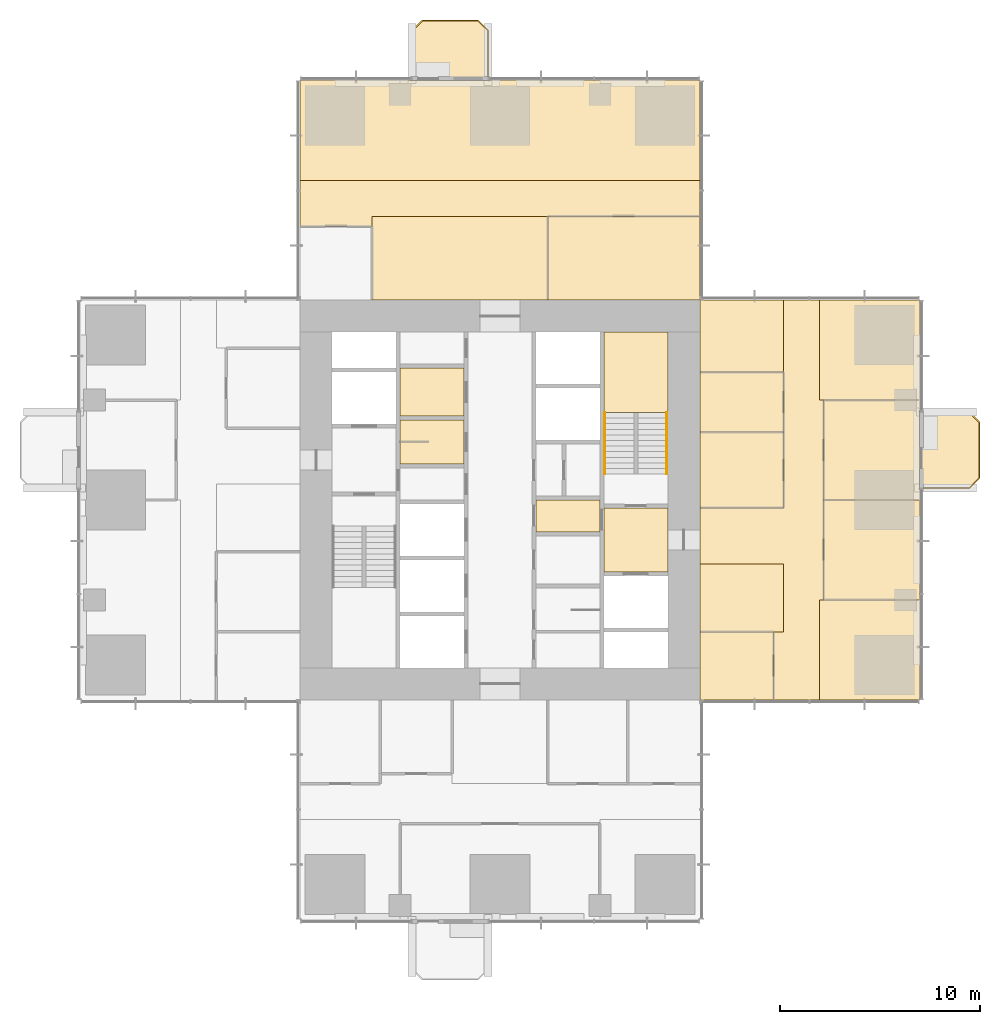
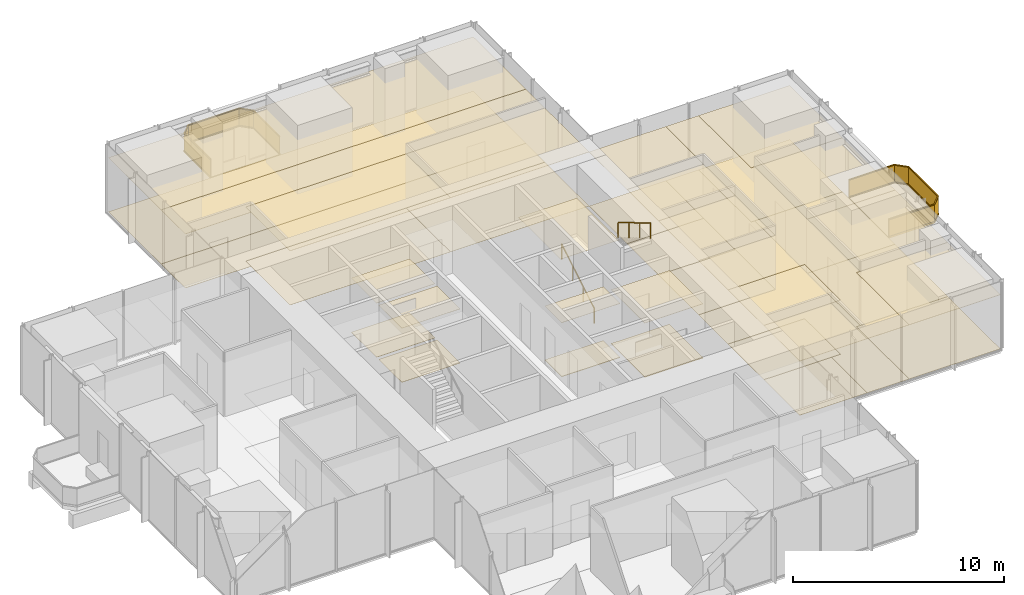
# One storey, part 12 of 13: 39 coverings, 4 railings.
"""IFC4 building model written with IfcOpenShell, lengths in metres."""

from ifc_helpers import new_model, si_unit, direction, frame, origin, origin_2d, place, context, subcontext, project, spatial, polyline, rectangle, circle, outline, extrude, material, layer, layer_set, type_object, element, save


model = new_model("IFC4")

# Units and contexts
model_context = context("Model", 3, precision=1e-05, world=origin(), true_north=direction((0.0, 1.0)))
body_context = subcontext(model_context, "Body", "Model", "MODEL_VIEW")
ifc_project = project(units=[si_unit("LENGTHUNIT", "METRE"), si_unit("AREAUNIT", "SQUARE_METRE"), si_unit("VOLUMEUNIT", "CUBIC_METRE"), si_unit("PLANEANGLEUNIT", "RADIAN"), si_unit("MASSUNIT", "GRAM", prefix="KILO")], contexts=[model_context])

# Site, building, storey
site_placement = place(None, origin())
site = spatial("IfcSite", under=ifc_project, at=site_placement, CompositionType="ELEMENT")
building_placement = place(site_placement, origin())
building = spatial("IfcBuilding", under=site, at=building_placement, Name="Svetlomir Tower", CompositionType="ELEMENT")
storey_placement = place(building_placement, frame((0.0, 0.0, 148.5)))
storey = spatial("IfcBuildingStorey", under=building, at=storey_placement, Name="L35", CompositionType="ELEMENT", Elevation=148.5)

# Railings
ifc_material_1 = material(Name="Bronze anodised aluminium and laminated glass", Category="aluminium")
railing_type_1 = type_object("IfcRailingType", Name="BALCONY GUARD GR1 1100", PredefinedType="GUARDRAIL", material=ifc_material_1)
railing_1_placement = place(storey_placement, frame((42.0, 21.60009765625, 0.0)))
element("IfcRailing", 1, at=railing_1_placement, inside=storey, type_object=railing_type_1, Name="Balcony guard E L35", PredefinedType="GUARDRAIL", context=body_context, shape_type="SweptSolid", body=[
    extrude(rectangle(XDim=0.06005859375, YDim=0.10009765625, at=origin_2d()), frame((0.0, 0.0, 0.050048828125), z_axis=(1.0, 0.0, 0.0), x_axis=(0.0, 1.0, 0.0)), (0.0, 0.0, 1.0), 2.5),
    extrude(rectangle(XDim=0.021484375, YDim=0.960205078125, at=origin_2d()), frame((0.0, 0.0, 0.580078125), z_axis=(1.0, 0.0, 0.0), x_axis=(0.0, 1.0, 0.0)), (0.0, 0.0, 1.0), 2.5),
    extrude(rectangle(XDim=0.06005859375, YDim=0.0400390625, at=origin_2d()), frame((0.0, 0.0, 1.080078125), z_axis=(1.0, 0.0, 0.0), x_axis=(0.0, 1.0, 0.0)), (0.0, 0.0, 1.0), 2.5),
    extrude(rectangle(XDim=0.06005859375, YDim=0.10009765625, at=origin_2d()), frame((2.5, 0.0, 0.050048828125), z_axis=(0.707106781187, 0.707106781187, 0.0), x_axis=(-0.707106781187, 0.707106781187, 0.0)), (0.0, 0.0, 1.0), 0.70703125),
    extrude(rectangle(XDim=0.021484375, YDim=0.960205078125, at=origin_2d()), frame((2.5, 0.0, 0.580078125), z_axis=(0.707106781187, 0.707106781187, 0.0), x_axis=(-0.707106781187, 0.707106781187, 0.0)), (0.0, 0.0, 1.0), 0.70703125),
    extrude(rectangle(XDim=0.06005859375, YDim=0.0400390625, at=origin_2d()), frame((2.5, 0.0, 1.080078125), z_axis=(0.707106781187, 0.707106781187, 0.0), x_axis=(-0.707106781187, 0.707106781187, 0.0)), (0.0, 0.0, 1.0), 0.70703125),
    extrude(rectangle(XDim=0.06005859375, YDim=0.10009765625, at=origin_2d()), frame((3.0, 0.5, 0.050048828125), z_axis=(0.0, 1.0, 0.0), x_axis=(-1.0, 0.0, 0.0)), (0.0, 0.0, 1.0), 2.7998046875),
    extrude(rectangle(XDim=0.021484375, YDim=0.960205078125, at=origin_2d()), frame((3.0, 0.5, 0.580078125), z_axis=(0.0, 1.0, 0.0), x_axis=(-1.0, 0.0, 0.0)), (0.0, 0.0, 1.0), 2.7998046875),
    extrude(rectangle(XDim=0.06005859375, YDim=0.0400390625, at=origin_2d()), frame((3.0, 0.5, 1.080078125), z_axis=(0.0, 1.0, 0.0), x_axis=(-1.0, 0.0, 0.0)), (0.0, 0.0, 1.0), 2.7998046875),
    extrude(rectangle(XDim=0.06005859375, YDim=0.10009765625, at=origin_2d()), frame((3.0, 3.2998046875, 0.050048828125), z_axis=(-0.707106781187, 0.707106781187, 0.0), x_axis=(-0.707106781187, -0.707106781187, 0.0)), (0.0, 0.0, 1.0), 0.70703125),
    extrude(rectangle(XDim=0.021484375, YDim=0.960205078125, at=origin_2d()), frame((3.0, 3.2998046875, 0.580078125), z_axis=(-0.707106781187, 0.707106781187, 0.0), x_axis=(-0.707106781187, -0.707106781187, 0.0)), (0.0, 0.0, 1.0), 0.70703125),
    extrude(rectangle(XDim=0.06005859375, YDim=0.0400390625, at=origin_2d()), frame((3.0, 3.2998046875, 1.080078125), z_axis=(-0.707106781187, 0.707106781187, 0.0), x_axis=(-0.707106781187, -0.707106781187, 0.0)), (0.0, 0.0, 1.0), 0.70703125),
    extrude(rectangle(XDim=0.06005859375, YDim=0.10009765625, at=origin_2d()), frame((2.5, 3.7998046875, 0.050048828125), z_axis=(-1.0, 0.0, 0.0), x_axis=(0.0, -1.0, 0.0)), (0.0, 0.0, 1.0), 2.5),
    extrude(rectangle(XDim=0.021484375, YDim=0.960205078125, at=origin_2d()), frame((2.5, 3.7998046875, 0.580078125), z_axis=(-1.0, 0.0, 0.0), x_axis=(0.0, -1.0, 0.0)), (0.0, 0.0, 1.0), 2.5),
    extrude(rectangle(XDim=0.06005859375, YDim=0.0400390625, at=origin_2d()), frame((2.5, 3.7998046875, 1.080078125), z_axis=(-1.0, 0.0, 0.0), x_axis=(0.0, -1.0, 0.0)), (0.0, 0.0, 1.0), 2.5),
])
railing_2_placement = place(storey_placement, frame((20.39990234375, 42.0, 0.0)))
element("IfcRailing", 2, at=railing_2_placement, inside=storey, type_object=railing_type_1, Name="Balcony guard N L35", PredefinedType="GUARDRAIL", context=body_context, shape_type="SweptSolid", body=[
    extrude(rectangle(XDim=0.06005859375, YDim=0.10009765625, at=origin_2d()), frame((0.0, 0.0, 0.050048828125), z_axis=(0.0, 1.0, 0.0), x_axis=(-1.0, 0.0, 0.0)), (0.0, 0.0, 1.0), 2.5),
    extrude(rectangle(XDim=0.021484375, YDim=0.960205078125, at=origin_2d()), frame((0.0, 0.0, 0.580078125), z_axis=(0.0, 1.0, 0.0), x_axis=(-1.0, 0.0, 0.0)), (0.0, 0.0, 1.0), 2.5),
    extrude(rectangle(XDim=0.06005859375, YDim=0.0400390625, at=origin_2d()), frame((0.0, 0.0, 1.080078125), z_axis=(0.0, 1.0, 0.0), x_axis=(-1.0, 0.0, 0.0)), (0.0, 0.0, 1.0), 2.5),
    extrude(rectangle(XDim=0.06005859375, YDim=0.10009765625, at=origin_2d()), frame((0.0, 2.5, 0.050048828125), z_axis=(-0.707106781187, 0.707106781187, 0.0), x_axis=(-0.707106781187, -0.707106781187, 0.0)), (0.0, 0.0, 1.0), 0.70703125),
    extrude(rectangle(XDim=0.021484375, YDim=0.960205078125, at=origin_2d()), frame((0.0, 2.5, 0.580078125), z_axis=(-0.707106781187, 0.707106781187, 0.0), x_axis=(-0.707106781187, -0.707106781187, 0.0)), (0.0, 0.0, 1.0), 0.70703125),
    extrude(rectangle(XDim=0.06005859375, YDim=0.0400390625, at=origin_2d()), frame((0.0, 2.5, 1.080078125), z_axis=(-0.707106781187, 0.707106781187, 0.0), x_axis=(-0.707106781187, -0.707106781187, 0.0)), (0.0, 0.0, 1.0), 0.70703125),
    extrude(rectangle(XDim=0.06005859375, YDim=0.10009765625, at=origin_2d()), frame((-0.5, 3.0, 0.050048828125), z_axis=(-1.0, 0.0, 0.0), x_axis=(0.0, -1.0, 0.0)), (0.0, 0.0, 1.0), 2.7998046875),
    extrude(rectangle(XDim=0.021484375, YDim=0.960205078125, at=origin_2d()), frame((-0.5, 3.0, 0.580078125), z_axis=(-1.0, 0.0, 0.0), x_axis=(0.0, -1.0, 0.0)), (0.0, 0.0, 1.0), 2.7998046875),
    extrude(rectangle(XDim=0.06005859375, YDim=0.0400390625, at=origin_2d()), frame((-0.5, 3.0, 1.080078125), z_axis=(-1.0, 0.0, 0.0), x_axis=(0.0, -1.0, 0.0)), (0.0, 0.0, 1.0), 2.7998046875),
    extrude(rectangle(XDim=0.06005859375, YDim=0.10009765625, at=origin_2d()), frame((-3.2998046875, 3.0, 0.050048828125), z_axis=(-0.707106781187, -0.707106781187, 0.0), x_axis=(0.707106781187, -0.707106781187, 0.0)), (0.0, 0.0, 1.0), 0.70703125),
    extrude(rectangle(XDim=0.021484375, YDim=0.960205078125, at=origin_2d()), frame((-3.2998046875, 3.0, 0.580078125), z_axis=(-0.707106781187, -0.707106781187, 0.0), x_axis=(0.707106781187, -0.707106781187, 0.0)), (0.0, 0.0, 1.0), 0.70703125),
    extrude(rectangle(XDim=0.06005859375, YDim=0.0400390625, at=origin_2d()), frame((-3.2998046875, 3.0, 1.080078125), z_axis=(-0.707106781187, -0.707106781187, 0.0), x_axis=(0.707106781187, -0.707106781187, 0.0)), (0.0, 0.0, 1.0), 0.70703125),
    extrude(rectangle(XDim=0.06005859375, YDim=0.10009765625, at=origin_2d()), frame((-3.7998046875, 2.5, 0.050048828125), z_axis=(0.0, -1.0, 0.0), x_axis=(1.0, 0.0, 0.0)), (0.0, 0.0, 1.0), 2.5),
    extrude(rectangle(XDim=0.021484375, YDim=0.960205078125, at=origin_2d()), frame((-3.7998046875, 2.5, 0.580078125), z_axis=(0.0, -1.0, 0.0), x_axis=(1.0, 0.0, 0.0)), (0.0, 0.0, 1.0), 2.5),
    extrude(rectangle(XDim=0.06005859375, YDim=0.0400390625, at=origin_2d()), frame((-3.7998046875, 2.5, 1.080078125), z_axis=(0.0, -1.0, 0.0), x_axis=(1.0, 0.0, 0.0)), (0.0, 0.0, 1.0), 2.5),
])

# Coverings
ifc_material_2 = material(Name="Granite paving slabs on pedestals", Category="masonry")
ifc_layer_1 = layer(ifc_material_2, 0.0400390625)
ifc_layer_set_1 = layer_set([ifc_layer_1], Name="Granite paving slabs on pedestals")
covering_type_1 = type_object("IfcCoveringType", Name="BALCONY PAVING 40", PredefinedType="USERDEFINED", material=ifc_layer_set_1)
covering_1_placement = place(storey_placement, origin())
element("IfcCovering", 3, at=covering_1_placement, inside=storey, type_object=covering_type_1, Name="Balcony paving E L35", ObjectType="BALCONY PAVING", PredefinedType="USERDEFINED", context=body_context, shape_type="SweptSolid", body=[
    extrude(outline(polyline([(42.0, 21.60009765625), (44.5, 21.60009765625), (45.0, 22.10009765625), (45.0, 24.89990234375), (44.5, 25.39990234375), (42.0, 25.39990234375), (42.0, 21.60009765625)])), origin(), (0.0, 0.0, 1.0), 0.0400390625),
])
covering_2_placement = place(storey_placement, origin())
element("IfcCovering", 4, at=covering_2_placement, inside=storey, type_object=covering_type_1, Name="Balcony paving N L35", ObjectType="BALCONY PAVING", PredefinedType="USERDEFINED", context=body_context, shape_type="SweptSolid", body=[
    extrude(outline(polyline([(16.60009765625, 42.0), (20.39990234375, 42.0), (20.39990234375, 44.5), (19.89990234375, 45.0), (17.10009765625, 45.0), (16.60009765625, 44.5), (16.60009765625, 42.0)])), origin(), (0.0, 0.0, 1.0), 0.0400390625),
])
ifc_material_3 = material(Name="Carpet tile", Category="textile")
ifc_layer_2 = layer(ifc_material_3, 0.010009765625)
ifc_layer_set_2 = layer_set([ifc_layer_2], Name="Carpet tile")
covering_type_2 = type_object("IfcCoveringType", Name="CARPET TILE FLOOR 10", PredefinedType="FLOORING", material=ifc_layer_set_2)
covering_3_placement = place(storey_placement, origin())
element("IfcCovering", 5, at=covering_3_placement, inside=storey, type_object=covering_type_2, Name="Floor finish L35-21", PredefinedType="FLOORING", context=body_context, shape_type="SweptSolid", body=[
    extrude(outline(polyline([(31.0, 11.0), (34.699951171875, 11.0), (34.699951171875, 14.39990234375), (31.0, 14.39990234375), (31.0, 11.0)])), origin(), (0.0, 0.0, 1.0), 0.010009765625),
])
covering_4_placement = place(storey_placement, origin())
element("IfcCovering", 6, at=covering_4_placement, inside=storey, type_object=covering_type_2, Name="Floor finish L35-22", PredefinedType="FLOORING", context=body_context, shape_type="SweptSolid", body=[
    extrude(outline(polyline([(31.0, 20.60009765625), (35.199951171875, 20.60009765625), (35.199951171875, 24.39990234375), (31.0, 24.39990234375), (31.0, 20.60009765625)])), origin(), (0.0, 0.0, 1.0), 0.010009765625),
])
covering_5_placement = place(storey_placement, origin())
element("IfcCovering", 7, at=covering_5_placement, inside=storey, type_object=covering_type_2, Name="Floor finish L35-23", PredefinedType="FLOORING", context=body_context, shape_type="SweptSolid", body=[
    extrude(outline(polyline([(31.0, 24.39990234375), (35.199951171875, 24.39990234375), (35.199951171875, 27.39990234375), (31.0, 27.39990234375), (31.0, 24.39990234375)])), origin(), (0.0, 0.0, 1.0), 0.010009765625),
])
covering_6_placement = place(storey_placement, origin())
element("IfcCovering", 8, at=covering_6_placement, inside=storey, type_object=covering_type_2, Name="Floor finish L35-24", PredefinedType="FLOORING", context=body_context, shape_type="SweptSolid", body=[
    extrude(outline(polyline([(37.199951171875, 16.0), (42.0, 16.0), (42.0, 21.0), (37.199951171875, 21.0), (37.199951171875, 16.0)])), origin(), (0.0, 0.0, 1.0), 0.010009765625),
])
covering_7_placement = place(storey_placement, origin())
element("IfcCovering", 9, at=covering_7_placement, inside=storey, type_object=covering_type_2, Name="Floor finish L35-25", PredefinedType="FLOORING", context=body_context, shape_type="SweptSolid", body=[
    extrude(outline(polyline([(37.199951171875, 21.0), (42.0, 21.0), (42.0, 26.0), (37.199951171875, 26.0), (37.199951171875, 21.0)])), origin(), (0.0, 0.0, 1.0), 0.010009765625),
])
covering_8_placement = place(storey_placement, origin())
element("IfcCovering", 10, at=covering_8_placement, inside=storey, type_object=covering_type_2, Name="Floor finish L35-27", PredefinedType="FLOORING", context=body_context, shape_type="SweptSolid", body=[
    extrude(outline(polyline([(23.39990234375, 31.0), (31.0, 31.0), (31.0, 35.199951171875), (23.39990234375, 35.199951171875), (23.39990234375, 31.0)])), origin(), (0.0, 0.0, 1.0), 0.010009765625),
])
covering_9_placement = place(storey_placement, origin())
element("IfcCovering", 11, at=covering_9_placement, inside=storey, type_object=covering_type_2, Name="Floor finish L35-34", PredefinedType="FLOORING", context=body_context, shape_type="SweptSolid", body=[
    extrude(outline(polyline([(11.0, 34.699951171875), (11.0, 37.0), (31.0, 37.0), (31.0, 35.199951171875), (14.60009765625, 35.199951171875), (14.60009765625, 34.699951171875), (11.0, 34.699951171875)])), origin(), (0.0, 0.0, 1.0), 0.010009765625),
])
covering_10_placement = place(storey_placement, origin())
element("IfcCovering", 12, at=covering_10_placement, inside=storey, type_object=covering_type_2, Name="Floor finish L35-35", PredefinedType="FLOORING", context=body_context, shape_type="SweptSolid", body=[
    extrude(outline(polyline([(34.699951171875, 14.39990234375), (35.199951171875, 14.39990234375), (35.199951171875, 17.800048828125), (31.0, 17.800048828125), (31.0, 20.60009765625), (35.199951171875, 20.60009765625), (35.199951171875, 31.0), (37.0, 31.0), (37.0, 26.0), (37.199951171875, 26.0), (37.199951171875, 16.0), (37.0, 16.0), (37.0, 11.0), (34.699951171875, 11.0), (34.699951171875, 14.39990234375)])), origin(), (0.0, 0.0, 1.0), 0.010009765625),
])
covering_11_placement = place(storey_placement, origin())
element("IfcCovering", 13, at=covering_11_placement, inside=storey, type_object=covering_type_2, Name="Floor finish L35-39", PredefinedType="FLOORING", context=body_context, shape_type="SweptSolid", body=[
    extrude(outline(polyline([(37.0, 16.0), (42.0, 16.0), (42.0, 11.0), (37.0, 11.0), (37.0, 16.0)])), origin(), (0.0, 0.0, 1.0), 0.010009765625),
])
covering_12_placement = place(storey_placement, origin())
element("IfcCovering", 14, at=covering_12_placement, inside=storey, type_object=covering_type_2, Name="Floor finish L35-40", PredefinedType="FLOORING", context=body_context, shape_type="SweptSolid", body=[
    extrude(outline(polyline([(31.0, 17.800048828125), (35.199951171875, 17.800048828125), (35.199951171875, 14.39990234375), (31.0, 14.39990234375), (31.0, 17.800048828125)])), origin(), (0.0, 0.0, 1.0), 0.010009765625),
])
covering_13_placement = place(storey_placement, origin())
element("IfcCovering", 15, at=covering_13_placement, inside=storey, type_object=covering_type_2, Name="Floor finish L35-41", PredefinedType="FLOORING", context=body_context, shape_type="SweptSolid", body=[
    extrude(outline(polyline([(31.0, 31.0), (35.199951171875, 31.0), (35.199951171875, 27.39990234375), (31.0, 27.39990234375), (31.0, 31.0)])), origin(), (0.0, 0.0, 1.0), 0.010009765625),
])
covering_14_placement = place(storey_placement, origin())
element("IfcCovering", 16, at=covering_14_placement, inside=storey, type_object=covering_type_2, Name="Floor finish L35-42", PredefinedType="FLOORING", context=body_context, shape_type="SweptSolid", body=[
    extrude(outline(polyline([(42.0, 26.0), (37.0, 26.0), (37.0, 31.0), (42.0, 31.0), (42.0, 26.0)])), origin(), (0.0, 0.0, 1.0), 0.010009765625),
])
covering_15_placement = place(storey_placement, origin())
element("IfcCovering", 17, at=covering_15_placement, inside=storey, type_object=covering_type_2, Name="Floor finish L35-43", PredefinedType="FLOORING", context=body_context, shape_type="SweptSolid", body=[
    extrude(outline(polyline([(31.0, 37.0), (11.0, 37.0), (11.0, 42.0), (31.0, 42.0), (31.0, 37.0)])), origin(), (0.0, 0.0, 1.0), 0.010009765625),
])
covering_16_placement = place(storey_placement, origin())
element("IfcCovering", 18, at=covering_16_placement, inside=storey, type_object=covering_type_2, Name="Floor finish L35-44", PredefinedType="FLOORING", context=body_context, shape_type="SweptSolid", body=[
    extrude(outline(polyline([(14.60009765625, 31.0), (14.60009765625, 35.199951171875), (23.39990234375, 35.199951171875), (23.39990234375, 31.0), (14.60009765625, 31.0)])), origin(), (0.0, 0.0, 1.0), 0.010009765625),
])
ifc_material_4 = material(Name="Ceramic floor tile", Category="ceramic")
ifc_layer_3 = layer(ifc_material_4, 0.014892578125)
ifc_layer_set_3 = layer_set([ifc_layer_3], Name="Ceramic floor tile")
covering_type_3 = type_object("IfcCoveringType", Name="CERAMIC TILE FLOOR 15", PredefinedType="FLOORING", material=ifc_layer_set_3)
covering_17_placement = place(storey_placement, origin())
element("IfcCovering", 19, at=covering_17_placement, inside=storey, type_object=covering_type_3, Name="Floor finish L35-04", PredefinedType="FLOORING", context=body_context, shape_type="SweptSolid", body=[
    extrude(outline(polyline([(16.0, 22.800048828125), (19.199951171875, 22.800048828125), (19.199951171875, 25.0), (16.0, 25.0), (16.0, 22.800048828125)])), origin(), (0.0, 0.0, 1.0), 0.014892578125),
])
covering_18_placement = place(storey_placement, origin())
element("IfcCovering", 20, at=covering_18_placement, inside=storey, type_object=covering_type_3, Name="Floor finish L35-05", PredefinedType="FLOORING", context=body_context, shape_type="SweptSolid", body=[
    extrude(outline(polyline([(16.0, 25.199951171875), (19.199951171875, 25.199951171875), (19.199951171875, 27.60009765625), (16.0, 27.60009765625), (16.0, 25.199951171875)])), origin(), (0.0, 0.0, 1.0), 0.014892578125),
])

# Railings
ifc_material_5 = material(Name="Stainless steel", Category="steel")
railing_type_2 = type_object("IfcRailingType", Name="HANDRAIL HR1 900", PredefinedType="HANDRAIL", material=ifc_material_5)
railing_3_placement = place(storey_placement, frame((26.25, 22.300048828125, 0.166748046875)))
element("IfcRailing", 21, at=railing_3_placement, inside=storey, type_object=railing_type_2, Name="Handrail S2 flight 1 L35", PredefinedType="HANDRAIL", context=body_context, shape_type="SweptSolid", body=[
    extrude(circle(Radius=0.02392578125, at=origin_2d()), frame((0.0, 0.0, 0.8759765625), z_axis=(0.0, 0.859290745958, 0.51148745235), x_axis=(-1.0, 0.0, 0.0)), (0.0, 0.0, 1.0), 3.584228515625),
    extrude(circle(Radius=0.02099609375, at=origin_2d()), origin(), (0.0, 0.0, 1.0), 0.851806640625),
    extrude(circle(Radius=0.02099609375, at=origin_2d()), frame((0.0, 1.026611328125, 0.611083984375)), (0.0, 0.0, 1.0), 0.851806640625),
    extrude(circle(Radius=0.02099609375, at=origin_2d()), frame((0.0, 2.05322265625, 1.22216796875)), (0.0, 0.0, 1.0), 0.851806640625),
    extrude(circle(Radius=0.02099609375, at=origin_2d()), frame((0.0, 3.079833984375, 1.833251953125)), (0.0, 0.0, 1.0), 0.851806640625),
])
railing_4_placement = place(storey_placement, frame((29.35009765625, 25.3798828125, 2.166748046875)))
element("IfcRailing", 22, at=railing_4_placement, inside=storey, type_object=railing_type_2, Name="Handrail S2 flight 2 L35", PredefinedType="HANDRAIL", context=body_context, shape_type="SweptSolid", body=[
    extrude(circle(Radius=0.02392578125, at=origin_2d()), frame((0.0, 0.0, 0.8759765625), z_axis=(0.0, -0.859290745958, 0.51148745235), x_axis=(1.0, 0.0, 0.0)), (0.0, 0.0, 1.0), 3.584228515625),
    extrude(circle(Radius=0.02099609375, at=origin_2d()), origin(), (0.0, 0.0, 1.0), 0.851806640625),
    extrude(circle(Radius=0.02099609375, at=origin_2d()), frame((0.0, -1.026611328125, 0.611083984375)), (0.0, 0.0, 1.0), 0.851806640625),
    extrude(circle(Radius=0.02099609375, at=origin_2d()), frame((0.0, -2.05322265625, 1.22216796875)), (0.0, 0.0, 1.0), 0.851806640625),
    extrude(circle(Radius=0.02099609375, at=origin_2d()), frame((0.0, -3.079833984375, 1.833251953125)), (0.0, 0.0, 1.0), 0.851806640625),
])

# Coverings
ifc_material_6 = material(Name="Moisture resistant plasterboard ceiling", Category="gypsum")
ifc_layer_4 = layer(ifc_material_6, 0.012451171875)
ifc_layer_set_4 = layer_set([ifc_layer_4], Name="Moisture resistant plasterboard ceiling")
covering_type_4 = type_object("IfcCoveringType", Name="MOISTURE RESISTANT CEILING 12.5", PredefinedType="CEILING", material=ifc_layer_set_4)
covering_19_placement = place(storey_placement, frame((0.0, 0.0, 3.137451171875)))
element("IfcCovering", 23, at=covering_19_placement, inside=storey, type_object=covering_type_4, Name="Ceiling L35-04", PredefinedType="CEILING", context=body_context, shape_type="SweptSolid", body=[
    extrude(outline(polyline([(16.0, 22.800048828125), (19.199951171875, 22.800048828125), (19.199951171875, 25.0), (16.0, 25.0), (16.0, 22.800048828125)])), origin(), (0.0, 0.0, 1.0), 0.012451171875),
])
covering_20_placement = place(storey_placement, frame((0.0, 0.0, 3.137451171875)))
element("IfcCovering", 24, at=covering_20_placement, inside=storey, type_object=covering_type_4, Name="Ceiling L35-05", PredefinedType="CEILING", context=body_context, shape_type="SweptSolid", body=[
    extrude(outline(polyline([(16.0, 25.199951171875), (19.199951171875, 25.199951171875), (19.199951171875, 27.60009765625), (16.0, 27.60009765625), (16.0, 25.199951171875)])), origin(), (0.0, 0.0, 1.0), 0.012451171875),
])
ifc_material_7 = material(Name="Gypsum plasterboard ceiling", Category="gypsum")
ifc_layer_5 = layer(ifc_material_7, 0.014892578125)
ifc_layer_set_5 = layer_set([ifc_layer_5], Name="Gypsum plasterboard ceiling")
covering_type_5 = type_object("IfcCoveringType", Name="PLASTERBOARD CEILING 15", PredefinedType="CEILING", material=ifc_layer_set_5)
covering_21_placement = place(storey_placement, frame((0.0, 0.0, 3.135009765625)))
element("IfcCovering", 25, at=covering_21_placement, inside=storey, type_object=covering_type_5, Name="Ceiling L35-11", PredefinedType="CEILING", context=body_context, shape_type="SweptSolid", body=[
    extrude(outline(polyline([(22.800048828125, 19.39990234375), (26.0, 19.39990234375), (26.0, 21.0), (22.800048828125, 21.0), (22.800048828125, 19.39990234375)])), origin(), (0.0, 0.0, 1.0), 0.014892578125),
])
covering_22_placement = place(storey_placement, frame((0.0, 0.0, 3.135009765625)))
element("IfcCovering", 26, at=covering_22_placement, inside=storey, type_object=covering_type_5, Name="Ceiling L35-12", PredefinedType="CEILING", context=body_context, shape_type="SweptSolid", body=[
    extrude(outline(polyline([(26.199951171875, 17.39990234375), (29.39990234375, 17.39990234375), (29.39990234375, 20.60009765625), (26.199951171875, 20.60009765625), (26.199951171875, 17.39990234375)])), origin(), (0.0, 0.0, 1.0), 0.014892578125),
])
ifc_material_8 = material(Name="Studded rubber floor finish", Category="rubber")
ifc_layer_6 = layer(ifc_material_8, 0.006103515625)
ifc_layer_set_6 = layer_set([ifc_layer_6], Name="Studded rubber floor finish")
covering_type_6 = type_object("IfcCoveringType", Name="RUBBER LANDING FINISH 6", PredefinedType="FLOORING", material=ifc_layer_set_6)
covering_23_placement = place(storey_placement, frame((0.0, 0.0, 2.0)))
element("IfcCovering", 27, at=covering_23_placement, inside=storey, type_object=covering_type_6, Name="Stair S2 landing finish L35", PredefinedType="FLOORING", context=body_context, shape_type="SweptSolid", body=[
    extrude(outline(polyline([(26.199951171875, 25.3798828125), (29.39990234375, 25.3798828125), (29.39990234375, 29.39990234375), (26.199951171875, 29.39990234375), (26.199951171875, 25.3798828125)])), origin(), (0.0, 0.0, 1.0), 0.006103515625),
])
ifc_material_9 = material(Name="Mineral fibre ceiling tile", Category="mineral")
ifc_layer_7 = layer(ifc_material_9, 0.02001953125)
ifc_layer_set_7 = layer_set([ifc_layer_7], Name="Mineral fibre ceiling tile")
covering_type_7 = type_object("IfcCoveringType", Name="SUSPENDED CEILING 20", PredefinedType="CEILING", material=ifc_layer_set_7)
covering_24_placement = place(storey_placement, frame((0.0, 0.0, 3.1298828125)))
element("IfcCovering", 28, at=covering_24_placement, inside=storey, type_object=covering_type_7, Name="Ceiling L35-21", PredefinedType="CEILING", context=body_context, shape_type="SweptSolid", body=[
    extrude(outline(polyline([(31.0, 11.0), (34.699951171875, 11.0), (34.699951171875, 14.39990234375), (31.0, 14.39990234375), (31.0, 11.0)])), origin(), (0.0, 0.0, 1.0), 0.02001953125),
])
covering_25_placement = place(storey_placement, frame((0.0, 0.0, 3.1298828125)))
element("IfcCovering", 29, at=covering_25_placement, inside=storey, type_object=covering_type_7, Name="Ceiling L35-22", PredefinedType="CEILING", context=body_context, shape_type="SweptSolid", body=[
    extrude(outline(polyline([(31.0, 20.60009765625), (35.199951171875, 20.60009765625), (35.199951171875, 24.39990234375), (31.0, 24.39990234375), (31.0, 20.60009765625)])), origin(), (0.0, 0.0, 1.0), 0.02001953125),
])
covering_26_placement = place(storey_placement, frame((0.0, 0.0, 3.1298828125)))
element("IfcCovering", 30, at=covering_26_placement, inside=storey, type_object=covering_type_7, Name="Ceiling L35-23", PredefinedType="CEILING", context=body_context, shape_type="SweptSolid", body=[
    extrude(outline(polyline([(31.0, 24.39990234375), (35.199951171875, 24.39990234375), (35.199951171875, 27.39990234375), (31.0, 27.39990234375), (31.0, 24.39990234375)])), origin(), (0.0, 0.0, 1.0), 0.02001953125),
])
covering_27_placement = place(storey_placement, frame((0.0, 0.0, 3.1298828125)))
element("IfcCovering", 31, at=covering_27_placement, inside=storey, type_object=covering_type_7, Name="Ceiling L35-24", PredefinedType="CEILING", context=body_context, shape_type="SweptSolid", body=[
    extrude(outline(polyline([(37.199951171875, 16.0), (42.0, 16.0), (42.0, 21.0), (37.199951171875, 21.0), (37.199951171875, 16.0)])), origin(), (0.0, 0.0, 1.0), 0.02001953125),
])
covering_28_placement = place(storey_placement, frame((0.0, 0.0, 3.1298828125)))
element("IfcCovering", 32, at=covering_28_placement, inside=storey, type_object=covering_type_7, Name="Ceiling L35-25", PredefinedType="CEILING", context=body_context, shape_type="SweptSolid", body=[
    extrude(outline(polyline([(37.199951171875, 21.0), (42.0, 21.0), (42.0, 26.0), (37.199951171875, 26.0), (37.199951171875, 21.0)])), origin(), (0.0, 0.0, 1.0), 0.02001953125),
])
covering_29_placement = place(storey_placement, frame((0.0, 0.0, 3.1298828125)))
element("IfcCovering", 33, at=covering_29_placement, inside=storey, type_object=covering_type_7, Name="Ceiling L35-27", PredefinedType="CEILING", context=body_context, shape_type="SweptSolid", body=[
    extrude(outline(polyline([(23.39990234375, 31.0), (31.0, 31.0), (31.0, 35.199951171875), (23.39990234375, 35.199951171875), (23.39990234375, 31.0)])), origin(), (0.0, 0.0, 1.0), 0.02001953125),
])
covering_30_placement = place(storey_placement, frame((0.0, 0.0, 3.1298828125)))
element("IfcCovering", 34, at=covering_30_placement, inside=storey, type_object=covering_type_7, Name="Ceiling L35-34", PredefinedType="CEILING", context=body_context, shape_type="SweptSolid", body=[
    extrude(outline(polyline([(11.0, 34.699951171875), (11.0, 37.0), (31.0, 37.0), (31.0, 35.199951171875), (14.60009765625, 35.199951171875), (14.60009765625, 34.699951171875), (11.0, 34.699951171875)])), origin(), (0.0, 0.0, 1.0), 0.02001953125),
])
covering_31_placement = place(storey_placement, frame((0.0, 0.0, 3.1298828125)))
element("IfcCovering", 35, at=covering_31_placement, inside=storey, type_object=covering_type_7, Name="Ceiling L35-35", PredefinedType="CEILING", context=body_context, shape_type="SweptSolid", body=[
    extrude(outline(polyline([(34.699951171875, 14.39990234375), (35.199951171875, 14.39990234375), (35.199951171875, 17.800048828125), (31.0, 17.800048828125), (31.0, 20.60009765625), (35.199951171875, 20.60009765625), (35.199951171875, 31.0), (37.0, 31.0), (37.0, 26.0), (37.199951171875, 26.0), (37.199951171875, 16.0), (37.0, 16.0), (37.0, 11.0), (34.699951171875, 11.0), (34.699951171875, 14.39990234375)])), origin(), (0.0, 0.0, 1.0), 0.02001953125),
])
covering_32_placement = place(storey_placement, frame((0.0, 0.0, 3.1298828125)))
element("IfcCovering", 36, at=covering_32_placement, inside=storey, type_object=covering_type_7, Name="Ceiling L35-39", PredefinedType="CEILING", context=body_context, shape_type="SweptSolid", body=[
    extrude(outline(polyline([(37.0, 16.0), (42.0, 16.0), (42.0, 11.0), (37.0, 11.0), (37.0, 16.0)])), origin(), (0.0, 0.0, 1.0), 0.02001953125),
])
covering_33_placement = place(storey_placement, frame((0.0, 0.0, 3.1298828125)))
element("IfcCovering", 37, at=covering_33_placement, inside=storey, type_object=covering_type_7, Name="Ceiling L35-40", PredefinedType="CEILING", context=body_context, shape_type="SweptSolid", body=[
    extrude(outline(polyline([(31.0, 17.800048828125), (35.199951171875, 17.800048828125), (35.199951171875, 14.39990234375), (31.0, 14.39990234375), (31.0, 17.800048828125)])), origin(), (0.0, 0.0, 1.0), 0.02001953125),
])
covering_34_placement = place(storey_placement, frame((0.0, 0.0, 3.1298828125)))
element("IfcCovering", 38, at=covering_34_placement, inside=storey, type_object=covering_type_7, Name="Ceiling L35-41", PredefinedType="CEILING", context=body_context, shape_type="SweptSolid", body=[
    extrude(outline(polyline([(31.0, 31.0), (35.199951171875, 31.0), (35.199951171875, 27.39990234375), (31.0, 27.39990234375), (31.0, 31.0)])), origin(), (0.0, 0.0, 1.0), 0.02001953125),
])
covering_35_placement = place(storey_placement, frame((0.0, 0.0, 3.1298828125)))
element("IfcCovering", 39, at=covering_35_placement, inside=storey, type_object=covering_type_7, Name="Ceiling L35-42", PredefinedType="CEILING", context=body_context, shape_type="SweptSolid", body=[
    extrude(outline(polyline([(42.0, 26.0), (37.0, 26.0), (37.0, 31.0), (42.0, 31.0), (42.0, 26.0)])), origin(), (0.0, 0.0, 1.0), 0.02001953125),
])
covering_36_placement = place(storey_placement, frame((0.0, 0.0, 3.1298828125)))
element("IfcCovering", 40, at=covering_36_placement, inside=storey, type_object=covering_type_7, Name="Ceiling L35-43", PredefinedType="CEILING", context=body_context, shape_type="SweptSolid", body=[
    extrude(outline(polyline([(31.0, 37.0), (11.0, 37.0), (11.0, 42.0), (31.0, 42.0), (31.0, 37.0)])), origin(), (0.0, 0.0, 1.0), 0.02001953125),
])
covering_37_placement = place(storey_placement, frame((0.0, 0.0, 3.1298828125)))
element("IfcCovering", 41, at=covering_37_placement, inside=storey, type_object=covering_type_7, Name="Ceiling L35-44", PredefinedType="CEILING", context=body_context, shape_type="SweptSolid", body=[
    extrude(outline(polyline([(14.60009765625, 31.0), (14.60009765625, 35.199951171875), (23.39990234375, 35.199951171875), (23.39990234375, 31.0), (14.60009765625, 31.0)])), origin(), (0.0, 0.0, 1.0), 0.02001953125),
])
ifc_material_10 = material(Name="Bronze-aggregate terrazzo", Category="stone")
ifc_layer_8 = layer(ifc_material_10, 0.030029296875)
ifc_layer_set_8 = layer_set([ifc_layer_8], Name="Bronze-aggregate terrazzo")
covering_type_8 = type_object("IfcCoveringType", Name="TERRAZZO FLOOR 30", PredefinedType="FLOORING", material=ifc_layer_set_8)
covering_38_placement = place(storey_placement, origin())
element("IfcCovering", 42, at=covering_38_placement, inside=storey, type_object=covering_type_8, Name="Floor finish L35-11", PredefinedType="FLOORING", context=body_context, shape_type="SweptSolid", body=[
    extrude(outline(polyline([(22.800048828125, 19.39990234375), (26.0, 19.39990234375), (26.0, 21.0), (22.800048828125, 21.0), (22.800048828125, 19.39990234375)])), origin(), (0.0, 0.0, 1.0), 0.030029296875),
])
covering_39_placement = place(storey_placement, origin())
element("IfcCovering", 43, at=covering_39_placement, inside=storey, type_object=covering_type_8, Name="Floor finish L35-12", PredefinedType="FLOORING", context=body_context, shape_type="SweptSolid", body=[
    extrude(outline(polyline([(26.199951171875, 17.39990234375), (29.39990234375, 17.39990234375), (29.39990234375, 20.60009765625), (26.199951171875, 20.60009765625), (26.199951171875, 17.39990234375)])), origin(), (0.0, 0.0, 1.0), 0.030029296875),
])

save(model, "model.ifc")
